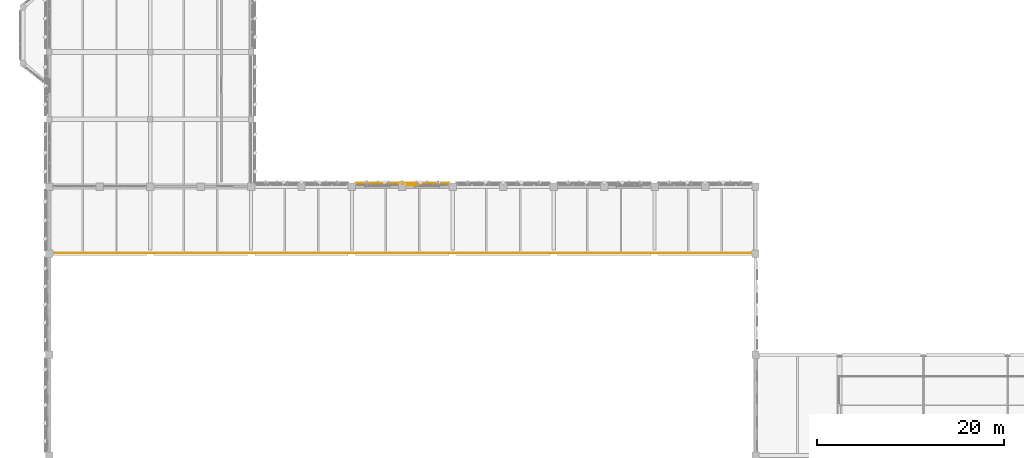
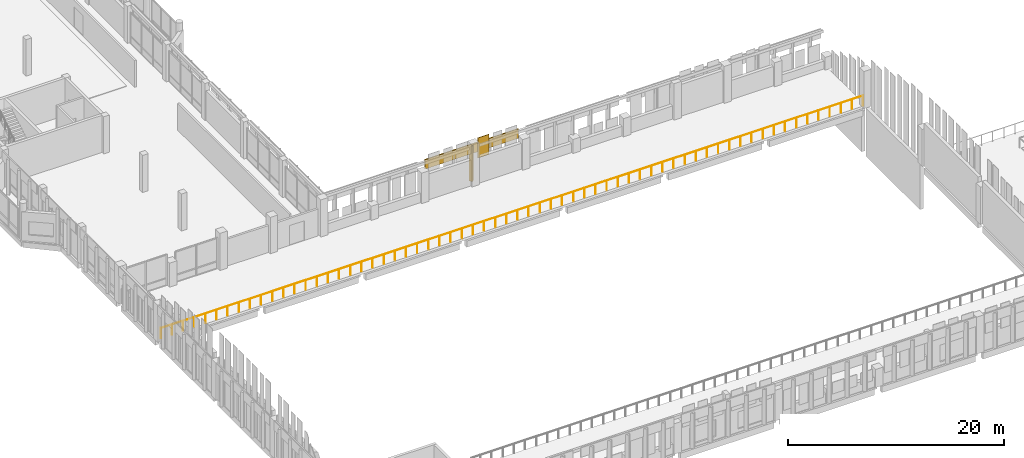
# One storey, part 143 of 158: 3 coverings, 1 railing.
"""IFC4 building model written with IfcOpenShell, lengths in metres."""

from ifc_helpers import new_model, si_unit, direction, frame, origin, origin_2d, place, context, subcontext, project, spatial, rectangle, circle, extrude, material, layer, layer_set, type_object, element, save


model = new_model("IFC4")

# Units and contexts
model_context = context("Model", 3, precision=1e-05, world=origin(), true_north=direction((0.0, 1.0)))
body_context = subcontext(model_context, "Body", "Model", "MODEL_VIEW")
ifc_project = project(units=[si_unit("LENGTHUNIT", "METRE"), si_unit("AREAUNIT", "SQUARE_METRE"), si_unit("VOLUMEUNIT", "CUBIC_METRE"), si_unit("PLANEANGLEUNIT", "RADIAN"), si_unit("MASSUNIT", "GRAM", prefix="KILO")], contexts=[model_context])

# Site, building, storey
site_placement = place(None, origin())
site = spatial("IfcSite", under=ifc_project, at=site_placement, CompositionType="ELEMENT")
building_placement = place(site_placement, origin())
building = spatial("IfcBuilding", under=site, at=building_placement, Name="Lusvemor Sports Hall", CompositionType="ELEMENT")
storey_placement = place(building_placement, frame((0.0, 0.0, 10.800048828125)))
storey = spatial("IfcBuildingStorey", under=building, at=storey_placement, Name="L02", CompositionType="ELEMENT", Elevation=10.800048828125)

# Coverings
ifc_material_1 = material(Name="Emerald polychrome glazed ceramic cladding on Concrete C40/50 backing", Category="concrete")
ifc_layer_1 = layer(ifc_material_1, 0.0458984375)
ifc_layer_set_1 = layer_set([ifc_layer_1], Name="Emerald polychrome glazed ceramic cladding on Concrete C40/50 backing")
covering_type_1 = type_object("IfcCoveringType", Name="CLAD_WAVE_EMERALD", PredefinedType="CLADDING", material=ifc_layer_set_1)
covering_1_placement = place(storey_placement, frame((38.956787109375, 46.990478515625, 2.60107421875), z_axis=(0.0, 0.0, 1.0), x_axis=(1.0, 0.0, 0.0)))
element("IfcCovering", 1, at=covering_1_placement, inside=storey, type_object=covering_type_1, Name="Art Nouveau Patterned Cladding PS-WAVEN-3-2-1", PredefinedType="CLADDING", context=body_context, shape_type="SweptSolid", body=[
    extrude(rectangle(XDim=1.224609375, YDim=0.0458984375, at=origin_2d()), origin(), (0.0, 0.0, 1.0), 2.273193359375),
])
ifc_material_2 = material(Name="Warm terracotta Art Nouveau ceramic cladding on Concrete C40/50 backing", Category="masonry")
ifc_layer_2 = layer(ifc_material_2, 0.0380859375)
ifc_layer_set_2 = layer_set([ifc_layer_2], Name="Warm terracotta Art Nouveau ceramic cladding on Concrete C40/50 backing")
covering_type_2 = type_object("IfcCoveringType", Name="CLAD_WAVE_OCHRE", PredefinedType="CLADDING", material=ifc_layer_set_2)
covering_2_placement = place(storey_placement, frame((37.800048828125, 47.18994140625, 3.179931640625), z_axis=(0.0, 0.0, 1.0), x_axis=(1.0, 0.0, 0.0)))
element("IfcCovering", 2, at=covering_2_placement, inside=storey, type_object=covering_type_2, Name="Art Nouveau Spandrel Cornice 1508", PredefinedType="CLADDING", context=body_context, shape_type="SweptSolid", body=[
    extrude(rectangle(XDim=9.97998046875, YDim=0.090087890625, at=origin_2d()), origin(), (0.0, 0.0, 1.0), 1.080078125),
])
ifc_material_3 = material(Name="Warm terracotta Art Nouveau ceramic cladding on Concrete C40/50 backing", Category="masonry")
ifc_layer_3 = layer(ifc_material_3, 0.449951171875)
ifc_layer_set_3 = layer_set([ifc_layer_3], Name="Warm terracotta Art Nouveau ceramic cladding on Concrete C40/50 backing")
covering_type_3 = type_object("IfcCoveringType", Name="FIN_BRISE_CER_450", PredefinedType="MOLDING", material=ifc_layer_set_3)
covering_3_placement = place(storey_placement, frame((37.800048828125, 47.239990234375, 0.099853515625), z_axis=(0.0, 0.0, 1.0), x_axis=(0.707106781187, 0.707106781187, 0.0)))
element("IfcCovering", 3, at=covering_3_placement, inside=storey, type_object=covering_type_3, Name="Patterned Diamond Cladding Rib 1511", PredefinedType="MOLDING", context=body_context, shape_type="SweptSolid", body=[
    extrude(rectangle(XDim=0.280029296875, YDim=0.3798828125, at=origin_2d()), origin(), (0.0, 0.0, 1.0), 4.0),
])

# Railing
ifc_material_4 = material(Name="Bronze-finished wrought-steel Art Nouveau balustrade", Category="steel")
railing_type = type_object("IfcRailingType", Name="RAIL_ATRIUM_BAL_115", PredefinedType="BALUSTRADE", material=ifc_material_4)
railing_placement = place(storey_placement, frame((0.199951171875, 39.679931640625, 0.0)))
element("IfcRailing", 4, at=railing_placement, inside=storey, type_object=railing_type, Name="Upper Wave-Vault North Gallery Balustrade", PredefinedType="BALUSTRADE", context=body_context, shape_type="SweptSolid", body=[
    extrude(circle(Radius=0.02392578125, at=origin_2d()), frame((0.0, 0.0, 1.1259765625), z_axis=(1.0, 0.0, 0.0), x_axis=(0.0, 1.0, 0.0)), (0.0, 0.0, 1.0), 75.199951171875),
    extrude(circle(Radius=0.02099609375, at=origin_2d()), origin(), (0.0, 0.0, 1.0), 1.101806640625),
    extrude(circle(Radius=0.02099609375, at=origin_2d()), frame((1.193603515625, 0.0, 0.0)), (0.0, 0.0, 1.0), 1.101806640625),
    extrude(circle(Radius=0.02099609375, at=origin_2d()), frame((2.38720703125, 0.0, 0.0)), (0.0, 0.0, 1.0), 1.101806640625),
    extrude(circle(Radius=0.02099609375, at=origin_2d()), frame((3.5810546875, 0.0, 0.0)), (0.0, 0.0, 1.0), 1.101806640625),
    extrude(circle(Radius=0.02099609375, at=origin_2d()), frame((4.774658203125, 0.0, 0.0)), (0.0, 0.0, 1.0), 1.101806640625),
    extrude(circle(Radius=0.02099609375, at=origin_2d()), frame((5.96826171875, 0.0, 0.0)), (0.0, 0.0, 1.0), 1.101806640625),
    extrude(circle(Radius=0.02099609375, at=origin_2d()), frame((7.161865234375, 0.0, 0.0)), (0.0, 0.0, 1.0), 1.101806640625),
    extrude(circle(Radius=0.02099609375, at=origin_2d()), frame((8.35546875, 0.0, 0.0)), (0.0, 0.0, 1.0), 1.101806640625),
    extrude(circle(Radius=0.02099609375, at=origin_2d()), frame((9.54931640625, 0.0, 0.0)), (0.0, 0.0, 1.0), 1.101806640625),
    extrude(circle(Radius=0.02099609375, at=origin_2d()), frame((10.742919921875, 0.0, 0.0)), (0.0, 0.0, 1.0), 1.101806640625),
    extrude(circle(Radius=0.02099609375, at=origin_2d()), frame((11.9365234375, 0.0, 0.0)), (0.0, 0.0, 1.0), 1.101806640625),
    extrude(circle(Radius=0.02099609375, at=origin_2d()), frame((13.130126953125, 0.0, 0.0)), (0.0, 0.0, 1.0), 1.101806640625),
    extrude(circle(Radius=0.02099609375, at=origin_2d()), frame((14.32373046875, 0.0, 0.0)), (0.0, 0.0, 1.0), 1.101806640625),
    extrude(circle(Radius=0.02099609375, at=origin_2d()), frame((15.517333984375, 0.0, 0.0)), (0.0, 0.0, 1.0), 1.101806640625),
    extrude(circle(Radius=0.02099609375, at=origin_2d()), frame((16.711181640625, 0.0, 0.0)), (0.0, 0.0, 1.0), 1.101806640625),
    extrude(circle(Radius=0.02099609375, at=origin_2d()), frame((17.90478515625, 0.0, 0.0)), (0.0, 0.0, 1.0), 1.101806640625),
    extrude(circle(Radius=0.02099609375, at=origin_2d()), frame((19.098388671875, 0.0, 0.0)), (0.0, 0.0, 1.0), 1.101806640625),
    extrude(circle(Radius=0.02099609375, at=origin_2d()), frame((20.2919921875, 0.0, 0.0)), (0.0, 0.0, 1.0), 1.101806640625),
    extrude(circle(Radius=0.02099609375, at=origin_2d()), frame((21.485595703125, 0.0, 0.0)), (0.0, 0.0, 1.0), 1.101806640625),
    extrude(circle(Radius=0.02099609375, at=origin_2d()), frame((22.679443359375, 0.0, 0.0)), (0.0, 0.0, 1.0), 1.101806640625),
    extrude(circle(Radius=0.02099609375, at=origin_2d()), frame((23.873046875, 0.0, 0.0)), (0.0, 0.0, 1.0), 1.101806640625),
    extrude(circle(Radius=0.02099609375, at=origin_2d()), frame((25.066650390625, 0.0, 0.0)), (0.0, 0.0, 1.0), 1.101806640625),
    extrude(circle(Radius=0.02099609375, at=origin_2d()), frame((26.26025390625, 0.0, 0.0)), (0.0, 0.0, 1.0), 1.101806640625),
    extrude(circle(Radius=0.02099609375, at=origin_2d()), frame((27.453857421875, 0.0, 0.0)), (0.0, 0.0, 1.0), 1.101806640625),
    extrude(circle(Radius=0.02099609375, at=origin_2d()), frame((28.647705078125, 0.0, 0.0)), (0.0, 0.0, 1.0), 1.101806640625),
    extrude(circle(Radius=0.02099609375, at=origin_2d()), frame((29.84130859375, 0.0, 0.0)), (0.0, 0.0, 1.0), 1.101806640625),
    extrude(circle(Radius=0.02099609375, at=origin_2d()), frame((31.034912109375, 0.0, 0.0)), (0.0, 0.0, 1.0), 1.101806640625),
    extrude(circle(Radius=0.02099609375, at=origin_2d()), frame((32.228515625, 0.0, 0.0)), (0.0, 0.0, 1.0), 1.101806640625),
    extrude(circle(Radius=0.02099609375, at=origin_2d()), frame((33.422119140625, 0.0, 0.0)), (0.0, 0.0, 1.0), 1.101806640625),
    extrude(circle(Radius=0.02099609375, at=origin_2d()), frame((34.615966796875, 0.0, 0.0)), (0.0, 0.0, 1.0), 1.101806640625),
    extrude(circle(Radius=0.02099609375, at=origin_2d()), frame((35.8095703125, 0.0, 0.0)), (0.0, 0.0, 1.0), 1.101806640625),
    extrude(circle(Radius=0.02099609375, at=origin_2d()), frame((37.003173828125, 0.0, 0.0)), (0.0, 0.0, 1.0), 1.101806640625),
    extrude(circle(Radius=0.02099609375, at=origin_2d()), frame((38.19677734375, 0.0, 0.0)), (0.0, 0.0, 1.0), 1.101806640625),
    extrude(circle(Radius=0.02099609375, at=origin_2d()), frame((39.390380859375, 0.0, 0.0)), (0.0, 0.0, 1.0), 1.101806640625),
    extrude(circle(Radius=0.02099609375, at=origin_2d()), frame((40.583984375, 0.0, 0.0)), (0.0, 0.0, 1.0), 1.101806640625),
    extrude(circle(Radius=0.02099609375, at=origin_2d()), frame((41.77783203125, 0.0, 0.0)), (0.0, 0.0, 1.0), 1.101806640625),
    extrude(circle(Radius=0.02099609375, at=origin_2d()), frame((42.971435546875, 0.0, 0.0)), (0.0, 0.0, 1.0), 1.101806640625),
    extrude(circle(Radius=0.02099609375, at=origin_2d()), frame((44.1650390625, 0.0, 0.0)), (0.0, 0.0, 1.0), 1.101806640625),
    extrude(circle(Radius=0.02099609375, at=origin_2d()), frame((45.358642578125, 0.0, 0.0)), (0.0, 0.0, 1.0), 1.101806640625),
    extrude(circle(Radius=0.02099609375, at=origin_2d()), frame((46.55224609375, 0.0, 0.0)), (0.0, 0.0, 1.0), 1.101806640625),
    extrude(circle(Radius=0.02099609375, at=origin_2d()), frame((47.74609375, 0.0, 0.0)), (0.0, 0.0, 1.0), 1.101806640625),
    extrude(circle(Radius=0.02099609375, at=origin_2d()), frame((48.939697265625, 0.0, 0.0)), (0.0, 0.0, 1.0), 1.101806640625),
    extrude(circle(Radius=0.02099609375, at=origin_2d()), frame((50.13330078125, 0.0, 0.0)), (0.0, 0.0, 1.0), 1.101806640625),
    extrude(circle(Radius=0.02099609375, at=origin_2d()), frame((51.326904296875, 0.0, 0.0)), (0.0, 0.0, 1.0), 1.101806640625),
    extrude(circle(Radius=0.02099609375, at=origin_2d()), frame((52.5205078125, 0.0, 0.0)), (0.0, 0.0, 1.0), 1.101806640625),
    extrude(circle(Radius=0.02099609375, at=origin_2d()), frame((53.71435546875, 0.0, 0.0)), (0.0, 0.0, 1.0), 1.101806640625),
    extrude(circle(Radius=0.02099609375, at=origin_2d()), frame((54.907958984375, 0.0, 0.0)), (0.0, 0.0, 1.0), 1.101806640625),
    extrude(circle(Radius=0.02099609375, at=origin_2d()), frame((56.1015625, 0.0, 0.0)), (0.0, 0.0, 1.0), 1.101806640625),
    extrude(circle(Radius=0.02099609375, at=origin_2d()), frame((57.295166015625, 0.0, 0.0)), (0.0, 0.0, 1.0), 1.101806640625),
    extrude(circle(Radius=0.02099609375, at=origin_2d()), frame((58.48876953125, 0.0, 0.0)), (0.0, 0.0, 1.0), 1.101806640625),
    extrude(circle(Radius=0.02099609375, at=origin_2d()), frame((59.6826171875, 0.0, 0.0)), (0.0, 0.0, 1.0), 1.101806640625),
    extrude(circle(Radius=0.02099609375, at=origin_2d()), frame((60.876220703125, 0.0, 0.0)), (0.0, 0.0, 1.0), 1.101806640625),
    extrude(circle(Radius=0.02099609375, at=origin_2d()), frame((62.06982421875, 0.0, 0.0)), (0.0, 0.0, 1.0), 1.101806640625),
    extrude(circle(Radius=0.02099609375, at=origin_2d()), frame((63.263427734375, 0.0, 0.0)), (0.0, 0.0, 1.0), 1.101806640625),
    extrude(circle(Radius=0.02099609375, at=origin_2d()), frame((64.45703125, 0.0, 0.0)), (0.0, 0.0, 1.0), 1.101806640625),
    extrude(circle(Radius=0.02099609375, at=origin_2d()), frame((65.650634765625, 0.0, 0.0)), (0.0, 0.0, 1.0), 1.101806640625),
    extrude(circle(Radius=0.02099609375, at=origin_2d()), frame((66.844482421875, 0.0, 0.0)), (0.0, 0.0, 1.0), 1.101806640625),
    extrude(circle(Radius=0.02099609375, at=origin_2d()), frame((68.0380859375, 0.0, 0.0)), (0.0, 0.0, 1.0), 1.101806640625),
    extrude(circle(Radius=0.02099609375, at=origin_2d()), frame((69.231689453125, 0.0, 0.0)), (0.0, 0.0, 1.0), 1.101806640625),
    extrude(circle(Radius=0.02099609375, at=origin_2d()), frame((70.42529296875, 0.0, 0.0)), (0.0, 0.0, 1.0), 1.101806640625),
    extrude(circle(Radius=0.02099609375, at=origin_2d()), frame((71.618896484375, 0.0, 0.0)), (0.0, 0.0, 1.0), 1.101806640625),
    extrude(circle(Radius=0.02099609375, at=origin_2d()), frame((72.812744140625, 0.0, 0.0)), (0.0, 0.0, 1.0), 1.101806640625),
    extrude(circle(Radius=0.02099609375, at=origin_2d()), frame((74.00634765625, 0.0, 0.0)), (0.0, 0.0, 1.0), 1.101806640625),
    extrude(circle(Radius=0.02099609375, at=origin_2d()), frame((75.199951171875, 0.0, 0.0)), (0.0, 0.0, 1.0), 1.101806640625),
])

save(model, "model.ifc")
